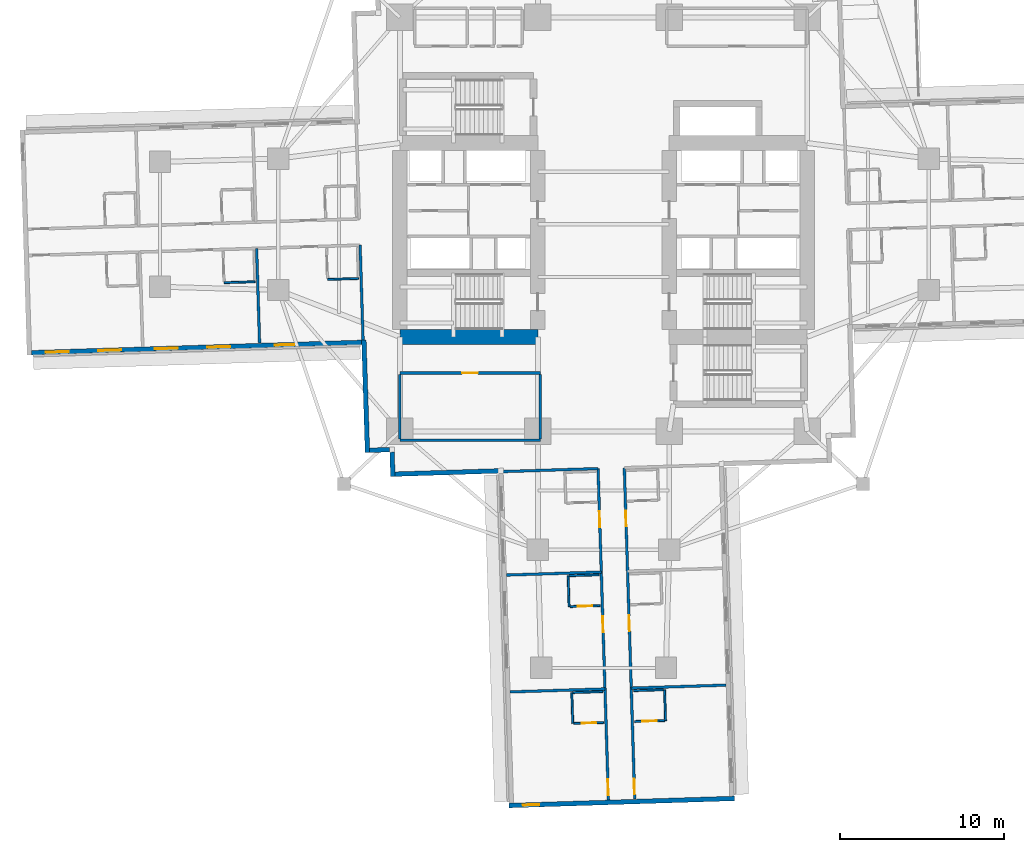
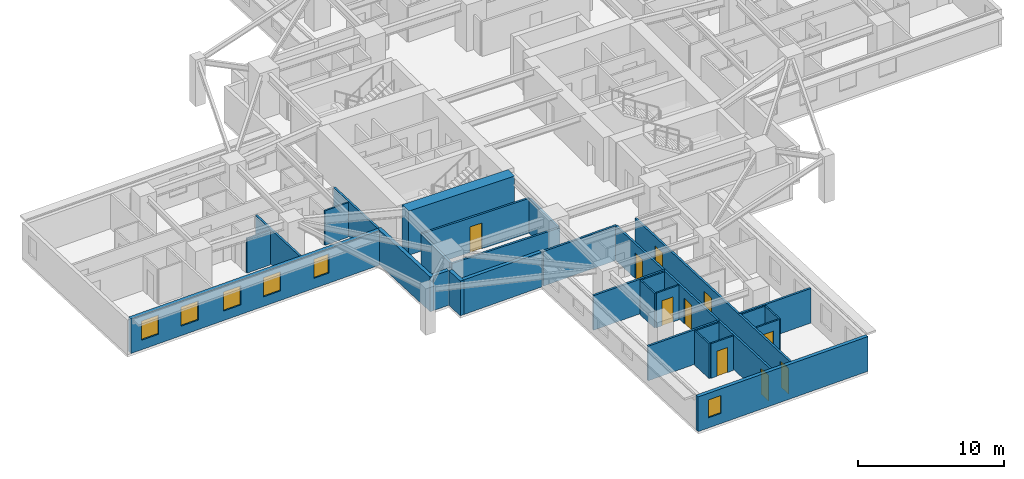
# One storey, part 3 of 15: 30 walls, 10 doors, 6 windows, 16 openings.
"""IFC4 building model written with IfcOpenShell, lengths in metres."""

from ifc_helpers import new_model, si_unit, direction, frame, frame_2d, origin, place, context, subcontext, project, spatial, rectangle, extrude, material, layer, layer_set, type_object, element, fill, save


model = new_model("IFC4")

# Units and contexts
model_context = context("Model", 3, precision=1e-05, world=origin(), true_north=direction((0.0, 1.0)))
body_context = subcontext(model_context, "Body", "Model", "MODEL_VIEW")
ifc_project = project(units=[si_unit("LENGTHUNIT", "METRE"), si_unit("AREAUNIT", "SQUARE_METRE"), si_unit("VOLUMEUNIT", "CUBIC_METRE"), si_unit("PLANEANGLEUNIT", "RADIAN"), si_unit("MASSUNIT", "GRAM", prefix="KILO")], contexts=[model_context])

# Site, building, storey
site_placement = place(None, origin())
site = spatial("IfcSite", under=ifc_project, at=site_placement, CompositionType="ELEMENT")
building_placement = place(site_placement, origin())
building = spatial("IfcBuilding", under=site, at=building_placement, Name="Qingluan Cross Belvedere", CompositionType="ELEMENT")
storey_placement = place(building_placement, frame((0.0, 0.0, 31.5)))
storey = spatial("IfcBuildingStorey", under=building, at=storey_placement, Name="L08", CompositionType="ELEMENT", Elevation=31.5)

# Walls
ifc_material_1 = material(Name="Concrete C70", Category="concrete")
ifc_layer_1 = layer(ifc_material_1, 0.89990234375, Name="CoreShearWall_900")
ifc_layer_set_1 = layer_set([ifc_layer_1], Name="Concrete C70")
wall_type_1 = type_object("IfcWallType", Name="CoreShearWall_900", PredefinedType="SHEAR", material=ifc_layer_set_1)
wall_1_placement = place(storey_placement, frame((-12.39990234375, -6.85009765625, 0.0), z_axis=(0.0, 0.0, 1.0), x_axis=(1.0, 0.0, 0.0)))
element("IfcWall", 1, at=wall_1_placement, inside=storey, type_object=wall_type_1, Name="Split core W shear wall L08-S", PredefinedType="SHEAR", context=body_context, shape_type="SweptSolid", body=[
    extrude(rectangle(XDim=8.39990234375, YDim=0.89990234375, at=frame_2d((4.199951171875, 0.0))), origin(), (0.0, 0.0, 1.0), 3.699951171875),
])
ifc_material_2 = material(Name="Gypsum plasterboard on steel stud acoustic partition", Category="steel")
ifc_layer_2 = layer(ifc_material_2, 0.159912109375, Name="CorridorPartition_160")
ifc_layer_set_2 = layer_set([ifc_layer_2], Name="Gypsum plasterboard on steel stud acoustic partition")
wall_type_2 = type_object("IfcWallType", Name="CorridorPartition_160", PredefinedType="PARTITIONING", material=ifc_layer_set_2)
wall_2_placement = place(storey_placement, frame((-12.39990234375, -13.14990234375, 0.0), z_axis=(0.0, 0.0, 1.0), x_axis=(1.0, 0.0, 0.0)))
element("IfcWall", 2, at=wall_2_placement, inside=storey, type_object=wall_type_2, Name="Partition L08:q_sw:S", PredefinedType="PARTITIONING", context=body_context, shape_type="SweptSolid", body=[
    extrude(rectangle(XDim=8.5498046875, YDim=0.159912109375, at=frame_2d((4.27490234375, 0.0))), origin(), (0.0, 0.0, 1.0), 2.89990234375),
])

# Wall, opening, door
wall_3_placement = place(storey_placement, frame((-12.39990234375, -9.050048828125, 0.0), z_axis=(0.0, 0.0, 1.0), x_axis=(1.0, 0.0, 0.0)))
wall_3 = element("IfcWall", 3, at=wall_3_placement, inside=storey, type_object=wall_type_2, Name="Partition L08:q_sw:N", PredefinedType="PARTITIONING", context=body_context, shape_type="SweptSolid", body=[
    extrude(rectangle(XDim=8.5498046875, YDim=0.159912109375, at=frame_2d((4.27490234375, 0.0))), origin(), (0.0, 0.0, 1.0), 2.89990234375),
])
opening_1_placement = place(wall_3_placement, frame((3.794921875, 0.0, 0.0)))
opening_1 = element("IfcOpeningElement", 4, at=opening_1_placement, cuts=wall_3, Name="Opening GD-10", PredefinedType="OPENING", context=body_context, shape_type="SweptSolid", body=[
    extrude(rectangle(XDim=0.9599609375, YDim=2.14990234375, at=frame_2d((0.47998046875, 1.074951171875))), frame((0.0, 0.08984375, 0.0), z_axis=(0.0, -1.0, 0.0), x_axis=(1.0, 0.0, 0.0)), (0.0, 0.0, 1.0), 0.179931640625),
])
ifc_material_3 = material(Name="Timber oak fire-rated acoustic guestroom door", Category="wood")
door_type_1 = type_object("IfcDoorType", Name="GuestEntryDoor_FD60", OperationType="NOTDEFINED", PredefinedType="DOOR", material=ifc_material_3)
door_1_placement = place(opening_1_placement, origin())
door_1 = element("IfcDoor", 5, at=door_1_placement, inside=storey, type_object=door_type_1, Name="Executive study room L08 door", OperationType="SINGLE_SWING_RIGHT", OverallHeight=2.14990234375, OverallWidth=0.9599609375, PredefinedType="DOOR", context=body_context, shape_type="SweptSolid", body=[
    extrude(rectangle(XDim=0.9599609375, YDim=2.14990234375, at=frame_2d((0.47998046875, 1.074951171875))), frame((0.0, 0.02490234375, 0.0), z_axis=(0.0, -1.0, 0.0), x_axis=(1.0, 0.0, 0.0)), (0.0, 0.0, 1.0), 0.050048828125),
])
fill(opening_1, door_1)

# Walls
for number, where, z_axis, x_axis, name in (
    (6, (-12.39990234375, -13.06494140625, 0.0), (0.0, 0.0, 1.0), (0.0, 1.0, 0.0), "Partition L08:q_sw:W"),
    (7, (-3.85009765625, -13.06494140625, 0.0), (0.0, 0.0, 1.0), (0.0, 1.0, 0.0), "Partition L08:q_sw:E"),
):
    element("IfcWall", number, at=place(storey_placement, frame(where, z_axis=z_axis, x_axis=x_axis)), inside=storey, type_object=wall_type_2, Name=name, PredefinedType="PARTITIONING", context=body_context, shape_type="SweptSolid", body=[
        extrude(rectangle(XDim=3.929931640625, YDim=0.159912109375, at=frame_2d((1.96484375, 0.0))), origin(), (0.0, 0.0, 1.0), 2.89990234375),
    ])
for number, where, z_axis, x_axis, name in (
    (8, (-14.8173828125, -1.26611328125, 0.0), (0.0, 0.0, 1.0), (0.031385292484, -0.999507360361, 0.0), "Partition L08:W:s1"),
    (9, (-21.116455078125, -1.464111328125, 0.0), (0.0, 0.0, 1.0), (0.031427548972, -0.999506032581, 0.0), "Partition L08:W:d1_0"),
):
    element("IfcWall", number, at=place(storey_placement, frame(where, z_axis=z_axis, x_axis=x_axis)), inside=storey, type_object=wall_type_2, Name=name, PredefinedType="PARTITIONING", context=body_context, shape_type="SweptSolid", body=[
        extrude(rectangle(XDim=5.77197265625, YDim=0.159912109375, at=frame_2d((2.885986328125, 0.0))), origin(), (0.0, 0.0, 1.0), 2.89990234375),
    ])

# Wall, openings, doors
wall_4_placement = place(storey_placement, frame((1.26611328125, -14.8173828125, 0.0), z_axis=(0.0, 0.0, 1.0), x_axis=(0.031403565719, -0.9995067864, 0.0)))
wall_4 = element("IfcWall", 10, at=wall_4_placement, inside=storey, type_object=wall_type_2, Name="Partition L08:S:c0", PredefinedType="PARTITIONING", context=body_context, shape_type="SweptSolid", body=[
    extrude(rectangle(XDim=20.18212890625, YDim=0.159912109375, at=frame_2d((10.091064453125, 0.0))), origin(), (0.0, 0.0, 1.0), 2.89990234375),
])
opening_2_placement = place(wall_4_placement, frame((2.610107421875, 0.0, 0.0)))
opening_2 = element("IfcOpeningElement", 11, at=opening_2_placement, cuts=wall_4, Name="Opening GD-10", PredefinedType="OPENING", context=body_context, shape_type="SweptSolid", body=[
    extrude(rectangle(XDim=0.9599609375, YDim=2.14990234375, at=frame_2d((0.47998046875, 1.074951171875))), frame((0.0, 0.08984375, 0.0), z_axis=(0.0, -1.0, 0.0), x_axis=(1.0, 0.0, 0.0)), (0.0, 0.0, 1.0), 0.179931640625),
])
opening_3_placement = place(wall_4_placement, frame((8.993896484375, 0.0, 0.0)))
opening_3 = element("IfcOpeningElement", 12, at=opening_3_placement, cuts=wall_4, Name="Opening GD-10", PredefinedType="OPENING", context=body_context, shape_type="SweptSolid", body=[
    extrude(rectangle(XDim=0.9599609375, YDim=2.14990234375, at=frame_2d((0.47998046875, 1.074951171875))), frame((0.0, 0.08984375, 0.0), z_axis=(0.0, -1.0, 0.0), x_axis=(1.0, 0.0, 0.0)), (0.0, 0.0, 1.0), 0.179931640625),
])
opening_4_placement = place(wall_4_placement, frame((18.929931640625, 0.0, 0.0)))
opening_4 = element("IfcOpeningElement", 13, at=opening_4_placement, cuts=wall_4, Name="Opening GD-10", PredefinedType="OPENING", context=body_context, shape_type="SweptSolid", body=[
    extrude(rectangle(XDim=0.9599609375, YDim=2.14990234375, at=frame_2d((0.47998046875, 1.074951171875))), frame((0.0, 0.08984375, 0.0), z_axis=(0.0, -1.0, 0.0), x_axis=(1.0, 0.0, 0.0)), (0.0, 0.0, 1.0), 0.179931640625),
])
door_2_placement = place(opening_2_placement, origin())
door_2 = element("IfcDoor", 14, at=door_2_placement, inside=storey, type_object=door_type_1, Name="Guest entry fire door 0819", OperationType="SINGLE_SWING_LEFT", OverallHeight=2.14990234375, OverallWidth=0.9599609375, PredefinedType="DOOR", context=body_context, shape_type="SweptSolid", body=[
    extrude(rectangle(XDim=0.9599609375, YDim=2.14990234375, at=frame_2d((0.47998046875, 1.074951171875))), frame((0.0, 0.02490234375, 0.0), z_axis=(0.0, -1.0, 0.0), x_axis=(1.0, 0.0, 0.0)), (0.0, 0.0, 1.0), 0.050048828125),
])
fill(opening_2, door_2)
door_3_placement = place(opening_3_placement, origin())
door_3 = element("IfcDoor", 15, at=door_3_placement, inside=storey, type_object=door_type_1, Name="Guest entry fire door 0820", OperationType="SINGLE_SWING_LEFT", OverallHeight=2.14990234375, OverallWidth=0.9599609375, PredefinedType="DOOR", context=body_context, shape_type="SweptSolid", body=[
    extrude(rectangle(XDim=0.9599609375, YDim=2.14990234375, at=frame_2d((0.47998046875, 1.074951171875))), frame((0.0, 0.02490234375, 0.0), z_axis=(0.0, -1.0, 0.0), x_axis=(1.0, 0.0, 0.0)), (0.0, 0.0, 1.0), 0.050048828125),
])
fill(opening_3, door_3)
door_4_placement = place(opening_4_placement, origin())
door_4 = element("IfcDoor", 16, at=door_4_placement, inside=storey, type_object=door_type_1, Name="Guest entry fire door 0821", OperationType="SINGLE_SWING_LEFT", OverallHeight=2.14990234375, OverallWidth=0.9599609375, PredefinedType="DOOR", context=body_context, shape_type="SweptSolid", body=[
    extrude(rectangle(XDim=0.9599609375, YDim=2.14990234375, at=frame_2d((0.47998046875, 1.074951171875))), frame((0.0, 0.02490234375, 0.0), z_axis=(0.0, -1.0, 0.0), x_axis=(1.0, 0.0, 0.0)), (0.0, 0.0, 1.0), 0.050048828125),
])
fill(opening_4, door_4)

# Wall
wall_5_placement = place(storey_placement, frame((1.6875, -28.22900390625, 0.0), z_axis=(0.0, 0.0, 1.0), x_axis=(0.999506074356, 0.031426220357, 0.0)))
element("IfcWall", 17, at=wall_5_placement, inside=storey, type_object=wall_type_2, Name="Partition L08:S:d0_1", PredefinedType="PARTITIONING", context=body_context, shape_type="SweptSolid", body=[
    extrude(rectangle(XDim=5.772216796875, YDim=0.159912109375, at=frame_2d((2.88623046875, 0.0))), origin(), (0.0, 0.0, 1.0), 2.89990234375),
])

# Wall, openings, doors
wall_6_placement = place(storey_placement, frame((-0.333251953125, -14.867919921875, 0.0), z_axis=(0.0, 0.0, 1.0), x_axis=(0.031416030536, -0.99950639469, 0.0)))
wall_6 = element("IfcWall", 18, at=wall_6_placement, inside=storey, type_object=wall_type_2, Name="Partition L08:S:c1", PredefinedType="PARTITIONING", context=body_context, shape_type="SweptSolid", body=[
    extrude(rectangle(XDim=20.181884765625, YDim=0.159912109375, at=frame_2d((10.0908203125, 0.0))), origin(), (0.0, 0.0, 1.0), 2.89990234375),
])
opening_5_placement = place(wall_6_placement, frame((2.610107421875, 0.0, 0.0)))
opening_5 = element("IfcOpeningElement", 19, at=opening_5_placement, cuts=wall_6, Name="Opening GD-10", PredefinedType="OPENING", context=body_context, shape_type="SweptSolid", body=[
    extrude(rectangle(XDim=0.9599609375, YDim=2.14990234375, at=frame_2d((0.47998046875, 1.074951171875))), frame((0.0, 0.08984375, 0.0), z_axis=(0.0, -1.0, 0.0), x_axis=(1.0, 0.0, 0.0)), (0.0, 0.0, 1.0), 0.179931640625),
])
opening_6_placement = place(wall_6_placement, frame((8.993896484375, 0.0, 0.0)))
opening_6 = element("IfcOpeningElement", 20, at=opening_6_placement, cuts=wall_6, Name="Opening GD-10", PredefinedType="OPENING", context=body_context, shape_type="SweptSolid", body=[
    extrude(rectangle(XDim=0.9599609375, YDim=2.14990234375, at=frame_2d((0.47998046875, 1.074951171875))), frame((0.0, 0.08984375, 0.0), z_axis=(0.0, -1.0, 0.0), x_axis=(1.0, 0.0, 0.0)), (0.0, 0.0, 1.0), 0.179931640625),
])
opening_7_placement = place(wall_6_placement, frame((18.929931640625, 0.0, 0.0)))
opening_7 = element("IfcOpeningElement", 21, at=opening_7_placement, cuts=wall_6, Name="Opening GD-10", PredefinedType="OPENING", context=body_context, shape_type="SweptSolid", body=[
    extrude(rectangle(XDim=0.9599609375, YDim=2.14990234375, at=frame_2d((0.47998046875, 1.074951171875))), frame((0.0, 0.08984375, 0.0), z_axis=(0.0, -1.0, 0.0), x_axis=(1.0, 0.0, 0.0)), (0.0, 0.0, 1.0), 0.179931640625),
])
door_5_placement = place(opening_5_placement, origin())
door_5 = element("IfcDoor", 22, at=door_5_placement, inside=storey, type_object=door_type_1, Name="Guest entry fire door 0822", OperationType="SINGLE_SWING_LEFT", OverallHeight=2.14990234375, OverallWidth=0.9599609375, PredefinedType="DOOR", context=body_context, shape_type="SweptSolid", body=[
    extrude(rectangle(XDim=0.9599609375, YDim=2.14990234375, at=frame_2d((0.47998046875, 1.074951171875))), frame((0.0, 0.02490234375, 0.0), z_axis=(0.0, -1.0, 0.0), x_axis=(1.0, 0.0, 0.0)), (0.0, 0.0, 1.0), 0.050048828125),
])
fill(opening_5, door_5)
door_6_placement = place(opening_6_placement, origin())
door_6 = element("IfcDoor", 23, at=door_6_placement, inside=storey, type_object=door_type_1, Name="Guest entry fire door 0823", OperationType="SINGLE_SWING_LEFT", OverallHeight=2.14990234375, OverallWidth=0.9599609375, PredefinedType="DOOR", context=body_context, shape_type="SweptSolid", body=[
    extrude(rectangle(XDim=0.9599609375, YDim=2.14990234375, at=frame_2d((0.47998046875, 1.074951171875))), frame((0.0, 0.02490234375, 0.0), z_axis=(0.0, -1.0, 0.0), x_axis=(1.0, 0.0, 0.0)), (0.0, 0.0, 1.0), 0.050048828125),
])
fill(opening_6, door_6)
door_7_placement = place(opening_7_placement, origin())
door_7 = element("IfcDoor", 24, at=door_7_placement, inside=storey, type_object=door_type_1, Name="Guest entry fire door 0824", OperationType="SINGLE_SWING_LEFT", OverallHeight=2.14990234375, OverallWidth=0.9599609375, PredefinedType="DOOR", context=body_context, shape_type="SweptSolid", body=[
    extrude(rectangle(XDim=0.9599609375, YDim=2.14990234375, at=frame_2d((0.47998046875, 1.074951171875))), frame((0.0, 0.02490234375, 0.0), z_axis=(0.0, -1.0, 0.0), x_axis=(1.0, 0.0, 0.0)), (0.0, 0.0, 1.0), 0.050048828125),
])
fill(opening_7, door_7)

# Walls
wall_7_placement = place(storey_placement, frame((-0.333251953125, -14.867919921875, 0.0), z_axis=(0.0, 0.0, 1.0), x_axis=(-0.999507397699, -0.031384103385, 0.0)))
element("IfcWall", 25, at=wall_7_placement, inside=storey, type_object=wall_type_2, Name="Partition L08:S:s1", PredefinedType="PARTITIONING", context=body_context, shape_type="SweptSolid", body=[
    extrude(rectangle(XDim=5.919921875, YDim=0.159912109375, at=frame_2d((2.9599609375, 0.0))), origin(), (0.0, 0.0, 1.0), 2.89990234375),
])
wall_8_placement = place(storey_placement, frame((-0.13525390625, -21.166748046875, 0.0), z_axis=(0.0, 0.0, 1.0), x_axis=(-0.999507360361, -0.031385292484, 0.0)))
element("IfcWall", 26, at=wall_8_placement, inside=storey, type_object=wall_type_2, Name="Partition L08:S:d1_0", PredefinedType="PARTITIONING", context=body_context, shape_type="SweptSolid", body=[
    extrude(rectangle(XDim=5.77197265625, YDim=0.159912109375, at=frame_2d((2.885986328125, 0.0))), origin(), (0.0, 0.0, 1.0), 2.89990234375),
])
wall_9_placement = place(storey_placement, frame((0.08837890625, -28.279296875, 0.0), z_axis=(0.0, 0.0, 1.0), x_axis=(-0.999507402024, -0.031383965651, 0.0)))
element("IfcWall", 27, at=wall_9_placement, inside=storey, type_object=wall_type_2, Name="Partition L08:S:d1_1", PredefinedType="PARTITIONING", context=body_context, shape_type="SweptSolid", body=[
    extrude(rectangle(XDim=5.772216796875, YDim=0.159912109375, at=frame_2d((2.88623046875, 0.0))), origin(), (0.0, 0.0, 1.0), 2.89990234375),
])
ifc_material_4 = material(Name="Moisture-resistant gypsum board lining")
ifc_layer_3 = layer(ifc_material_4, 0.1201171875, Name="EnsuiteWetPartition_120")
ifc_layer_set_3 = layer_set([ifc_layer_3], Name="Moisture-resistant gypsum board lining")
wall_type_3 = type_object("IfcWallType", Name="EnsuiteWetPartition_120", PredefinedType="PARTITIONING", material=ifc_layer_set_3)
for number, where, z_axis, x_axis, name in (
    (28, (-14.913818359375, -3.295166015625, 0.0), (0.0, 0.0, 1.0), (-0.999510173889, -0.031295563454, 0.0), "Partition L08:W:bc1_0"),
    (29, (-21.212646484375, -3.492919921875, 0.0), (0.0, 0.0, 1.0), (-0.999506103526, -0.031425292588, 0.0), "Partition L08:W:bc1_1"),
):
    element("IfcWall", number, at=place(storey_placement, frame(where, z_axis=z_axis, x_axis=x_axis)), inside=storey, type_object=wall_type_3, Name=name, PredefinedType="PARTITIONING", context=body_context, shape_type="SweptSolid", body=[
        extrude(rectangle(XDim=1.880126953125, YDim=0.1201171875, at=frame_2d((0.93994140625, 0.0))), origin(), (0.0, 0.0, 1.0), 2.89990234375),
    ])

# Wall, opening, door
wall_10_placement = place(storey_placement, frame((1.8916015625, -30.263427734375, 0.0), z_axis=(0.0, 0.0, 1.0), x_axis=(0.999507221803, 0.031389704724, 0.0)))
wall_10 = element("IfcWall", 30, at=wall_10_placement, inside=storey, type_object=wall_type_3, Name="Partition L08:S:bs0_2", PredefinedType="PARTITIONING", context=body_context, shape_type="SweptSolid", body=[
    extrude(rectangle(XDim=1.820068359375, YDim=0.1201171875, at=frame_2d((0.91015625, 0.0))), origin(), (0.0, 0.0, 1.0), 2.89990234375),
])
opening_8_placement = place(wall_10_placement, frame((0.469970703125, 0.0, 0.0)))
opening_8 = element("IfcOpeningElement", 31, at=opening_8_placement, cuts=wall_10, Name="Opening BD-09", PredefinedType="OPENING", context=body_context, shape_type="SweptSolid", body=[
    extrude(rectangle(XDim=0.8798828125, YDim=2.10009765625, at=frame_2d((0.43994140625, 1.050048828125))), frame((0.0, 0.070068359375, 0.0), z_axis=(0.0, -1.0, 0.0), x_axis=(1.0, 0.0, 0.0)), (0.0, 0.0, 1.0), 0.14013671875),
])
ifc_material_5 = material(Name="Moisture-sealed timber en-suite door", Category="wood")
door_type_2 = type_object("IfcDoorType", Name="BathroomDoor_880", OperationType="NOTDEFINED", PredefinedType="DOOR", material=ifc_material_5)
door_8_placement = place(opening_8_placement, origin())
door_8 = element("IfcDoor", 32, at=door_8_placement, inside=storey, type_object=door_type_2, Name="Bathroom door 0821", OperationType="SINGLE_SWING_RIGHT", OverallHeight=2.10009765625, OverallWidth=0.8798828125, PredefinedType="DOOR", context=body_context, shape_type="SweptSolid", body=[
    extrude(rectangle(XDim=0.8798828125, YDim=2.10009765625, at=frame_2d((0.43994140625, 1.050048828125))), frame((0.0, 0.02490234375, 0.0), z_axis=(0.0, -1.0, 0.0), x_axis=(1.0, 0.0, 0.0)), (0.0, 0.0, 1.0), 0.050048828125),
])
fill(opening_8, door_8)

# Walls
wall_11_placement = place(storey_placement, frame((1.83251953125, -28.384521484375, 0.0), z_axis=(0.0, 0.0, 1.0), x_axis=(0.999507221803, 0.031389704724, 0.0)))
element("IfcWall", 33, at=wall_11_placement, inside=storey, type_object=wall_type_3, Name="Partition L08:S:bw0_2", PredefinedType="PARTITIONING", context=body_context, shape_type="SweptSolid", body=[
    extrude(rectangle(XDim=1.820068359375, YDim=0.1201171875, at=frame_2d((0.91015625, 0.0))), origin(), (0.0, 0.0, 1.0), 2.89990234375),
])
wall_12_placement = place(storey_placement, frame((3.716552734375, -28.3251953125, 0.0), z_axis=(0.0, 0.0, 1.0), x_axis=(0.031425292588, -0.999506103526, 0.0)))
element("IfcWall", 34, at=wall_12_placement, inside=storey, type_object=wall_type_3, Name="Partition L08:S:bn0_2", PredefinedType="PARTITIONING", context=body_context, shape_type="SweptSolid", body=[
    extrude(rectangle(XDim=1.880126953125, YDim=0.1201171875, at=frame_2d((0.93994140625, 0.0))), origin(), (0.0, 0.0, 1.0), 2.89990234375),
])

# Wall, opening, door
wall_13_placement = place(storey_placement, frame((-2.0302734375, -23.26708984375, 0.0), z_axis=(0.0, 0.0, 1.0), x_axis=(0.999511421504, 0.031255692016, 0.0)))
wall_13 = element("IfcWall", 35, at=wall_13_placement, inside=storey, type_object=wall_type_3, Name="Partition L08:S:bs1_1", PredefinedType="PARTITIONING", context=body_context, shape_type="SweptSolid", body=[
    extrude(rectangle(XDim=1.820068359375, YDim=0.1201171875, at=frame_2d((0.91015625, 0.0))), origin(), (0.0, 0.0, 1.0), 2.89990234375),
])
opening_9_placement = place(wall_13_placement, frame((0.469970703125, 0.0, 0.0)))
opening_9 = element("IfcOpeningElement", 36, at=opening_9_placement, cuts=wall_13, Name="Opening BD-09", PredefinedType="OPENING", context=body_context, shape_type="SweptSolid", body=[
    extrude(rectangle(XDim=0.8798828125, YDim=2.10009765625, at=frame_2d((0.43994140625, 1.050048828125))), frame((0.0, 0.070068359375, 0.0), z_axis=(0.0, -1.0, 0.0), x_axis=(1.0, 0.0, 0.0)), (0.0, 0.0, 1.0), 0.14013671875),
])
door_9_placement = place(opening_9_placement, origin())
door_9 = element("IfcDoor", 37, at=door_9_placement, inside=storey, type_object=door_type_2, Name="Bathroom door 0823", OperationType="SINGLE_SWING_RIGHT", OverallHeight=2.10009765625, OverallWidth=0.8798828125, PredefinedType="DOOR", context=body_context, shape_type="SweptSolid", body=[
    extrude(rectangle(XDim=0.8798828125, YDim=2.10009765625, at=frame_2d((0.43994140625, 1.050048828125))), frame((0.0, 0.02490234375, 0.0), z_axis=(0.0, -1.0, 0.0), x_axis=(1.0, 0.0, 0.0)), (0.0, 0.0, 1.0), 0.050048828125),
])
fill(opening_9, door_9)

# Walls
wall_14_placement = place(storey_placement, frame((-2.089111328125, -21.38818359375, 0.0), z_axis=(0.0, 0.0, 1.0), x_axis=(0.999507221803, 0.031389704724, 0.0)))
element("IfcWall", 38, at=wall_14_placement, inside=storey, type_object=wall_type_3, Name="Partition L08:S:bw1_1", PredefinedType="PARTITIONING", context=body_context, shape_type="SweptSolid", body=[
    extrude(rectangle(XDim=1.820068359375, YDim=0.1201171875, at=frame_2d((0.91015625, 0.0))), origin(), (0.0, 0.0, 1.0), 2.89990234375),
])
wall_15_placement = place(storey_placement, frame((-2.154296875, -21.39013671875, 0.0), z_axis=(0.0, 0.0, 1.0), x_axis=(0.031425292588, -0.999506103526, 0.0)))
element("IfcWall", 39, at=wall_15_placement, inside=storey, type_object=wall_type_3, Name="Partition L08:S:bc1_1", PredefinedType="PARTITIONING", context=body_context, shape_type="SweptSolid", body=[
    extrude(rectangle(XDim=1.880126953125, YDim=0.1201171875, at=frame_2d((0.93994140625, 0.0))), origin(), (0.0, 0.0, 1.0), 2.89990234375),
])

# Wall, opening, door
wall_16_placement = place(storey_placement, frame((-1.806640625, -30.379638671875, 0.0), z_axis=(0.0, 0.0, 1.0), x_axis=(0.999507221803, 0.031389704724, 0.0)))
wall_16 = element("IfcWall", 40, at=wall_16_placement, inside=storey, type_object=wall_type_3, Name="Partition L08:S:bs1_2", PredefinedType="PARTITIONING", context=body_context, shape_type="SweptSolid", body=[
    extrude(rectangle(XDim=1.820068359375, YDim=0.1201171875, at=frame_2d((0.91015625, 0.0))), origin(), (0.0, 0.0, 1.0), 2.89990234375),
])
opening_10_placement = place(wall_16_placement, frame((0.469970703125, 0.0, 0.0)))
opening_10 = element("IfcOpeningElement", 41, at=opening_10_placement, cuts=wall_16, Name="Opening BD-09", PredefinedType="OPENING", context=body_context, shape_type="SweptSolid", body=[
    extrude(rectangle(XDim=0.8798828125, YDim=2.10009765625, at=frame_2d((0.43994140625, 1.050048828125))), frame((0.0, 0.070068359375, 0.0), z_axis=(0.0, -1.0, 0.0), x_axis=(1.0, 0.0, 0.0)), (0.0, 0.0, 1.0), 0.14013671875),
])
door_10_placement = place(opening_10_placement, origin())
door_10 = element("IfcDoor", 42, at=door_10_placement, inside=storey, type_object=door_type_2, Name="Bathroom door 0824", OperationType="SINGLE_SWING_RIGHT", OverallHeight=2.10009765625, OverallWidth=0.8798828125, PredefinedType="DOOR", context=body_context, shape_type="SweptSolid", body=[
    extrude(rectangle(XDim=0.8798828125, YDim=2.10009765625, at=frame_2d((0.43994140625, 1.050048828125))), frame((0.0, 0.02490234375, 0.0), z_axis=(0.0, -1.0, 0.0), x_axis=(1.0, 0.0, 0.0)), (0.0, 0.0, 1.0), 0.050048828125),
])
fill(opening_10, door_10)

# Walls
wall_17_placement = place(storey_placement, frame((-1.86572265625, -28.500732421875, 0.0), z_axis=(0.0, 0.0, 1.0), x_axis=(0.999507221803, 0.031389704724, 0.0)))
element("IfcWall", 43, at=wall_17_placement, inside=storey, type_object=wall_type_3, Name="Partition L08:S:bw1_2", PredefinedType="PARTITIONING", context=body_context, shape_type="SweptSolid", body=[
    extrude(rectangle(XDim=1.820068359375, YDim=0.1201171875, at=frame_2d((0.91015625, 0.0))), origin(), (0.0, 0.0, 1.0), 2.89990234375),
])
wall_18_placement = place(storey_placement, frame((-1.9306640625, -28.502685546875, 0.0), z_axis=(0.0, 0.0, 1.0), x_axis=(0.031425292588, -0.999506103526, 0.0)))
element("IfcWall", 44, at=wall_18_placement, inside=storey, type_object=wall_type_3, Name="Partition L08:S:bc1_2", PredefinedType="PARTITIONING", context=body_context, shape_type="SweptSolid", body=[
    extrude(rectangle(XDim=1.880126953125, YDim=0.1201171875, at=frame_2d((0.93994140625, 0.0))), origin(), (0.0, 0.0, 1.0), 2.89990234375),
])

# Wall, openings, windows
ifc_material_6 = material(Name="Precast concrete C45", Category="concrete")
ifc_layer_4 = layer(ifc_material_6, 0.280029296875, Name="PrecastFacadeWall_280")
ifc_layer_set_4 = layer_set([ifc_layer_4], Name="Precast concrete C45")
wall_type_4 = type_object("IfcWallType", Name="PrecastFacadeWall_280", PredefinedType="STANDARD", material=ifc_layer_set_4)
wall_19_placement = place(storey_placement, frame((-34.8115234375, -7.8173828125, 0.0), z_axis=(0.0, 0.0, 1.0), x_axis=(0.999506574096, 0.031410322165, 0.0)))
wall_19 = element("IfcWall", 45, at=wall_19_placement, inside=storey, type_object=wall_type_4, Name="Facade wall L08-WB", PredefinedType="STANDARD", context=body_context, shape_type="SweptSolid", body=[
    extrude(rectangle(XDim=20.10009765625, YDim=0.280029296875, at=frame_2d((10.050048828125, 0.0))), origin(), (0.0, 0.0, 1.0), 2.909912109375),
])
opening_11_placement = place(wall_19_placement, frame((0.85009765625, 0.0, 0.800048828125)))
opening_11 = element("IfcOpeningElement", 46, at=opening_11_placement, cuts=wall_19, Name="Opening W-01", PredefinedType="OPENING", context=body_context, shape_type="SweptSolid", body=[
    extrude(rectangle(XDim=1.39990234375, YDim=1.60009765625, at=frame_2d((0.699951171875, 0.800048828125))), frame((0.0, 0.14990234375, 0.0), z_axis=(0.0, -1.0, 0.0), x_axis=(1.0, 0.0, 0.0)), (0.0, 0.0, 1.0), 0.300048828125),
])
opening_12_placement = place(wall_19_placement, frame((4.050048828125, 0.0, 0.800048828125)))
opening_12 = element("IfcOpeningElement", 47, at=opening_12_placement, cuts=wall_19, Name="Opening W-01", PredefinedType="OPENING", context=body_context, shape_type="SweptSolid", body=[
    extrude(rectangle(XDim=1.39990234375, YDim=1.60009765625, at=frame_2d((0.699951171875, 0.800048828125))), frame((0.0, 0.14990234375, 0.0), z_axis=(0.0, -1.0, 0.0), x_axis=(1.0, 0.0, 0.0)), (0.0, 0.0, 1.0), 0.300048828125),
])
opening_13_placement = place(wall_19_placement, frame((7.5, 0.0, 0.800048828125)))
opening_13 = element("IfcOpeningElement", 48, at=opening_13_placement, cuts=wall_19, Name="Opening W-01", PredefinedType="OPENING", context=body_context, shape_type="SweptSolid", body=[
    extrude(rectangle(XDim=1.39990234375, YDim=1.60009765625, at=frame_2d((0.699951171875, 0.800048828125))), frame((0.0, 0.14990234375, 0.0), z_axis=(0.0, -1.0, 0.0), x_axis=(1.0, 0.0, 0.0)), (0.0, 0.0, 1.0), 0.300048828125),
])
opening_14_placement = place(wall_19_placement, frame((10.699951171875, 0.0, 0.800048828125)))
opening_14 = element("IfcOpeningElement", 49, at=opening_14_placement, cuts=wall_19, Name="Opening W-01", PredefinedType="OPENING", context=body_context, shape_type="SweptSolid", body=[
    extrude(rectangle(XDim=1.39990234375, YDim=1.60009765625, at=frame_2d((0.699951171875, 0.800048828125))), frame((0.0, 0.14990234375, 0.0), z_axis=(0.0, -1.0, 0.0), x_axis=(1.0, 0.0, 0.0)), (0.0, 0.0, 1.0), 0.300048828125),
])
opening_15_placement = place(wall_19_placement, frame((14.799072265625, 0.0, 0.85009765625)))
opening_15 = element("IfcOpeningElement", 50, at=opening_15_placement, cuts=wall_19, Name="Opening W-02", PredefinedType="OPENING", context=body_context, shape_type="SweptSolid", body=[
    extrude(rectangle(XDim=1.199951171875, YDim=1.60009765625, at=frame_2d((0.60009765625, 0.800048828125))), frame((0.0, 0.14990234375, 0.0), z_axis=(0.0, -1.0, 0.0), x_axis=(1.0, 0.0, 0.0)), (0.0, 0.0, 1.0), 0.300048828125),
])
ifc_material_7 = material(Name="Thermally broken triple Low-E glass in aluminium frame", Category="aluminium")
window_type_1 = type_object("IfcWindowType", Name="TriRibbonWin_1200x1600", PartitioningType="SINGLE_PANEL", PredefinedType="WINDOW", material=ifc_material_7)
window_1_placement = place(opening_15_placement, origin())
window_1 = element("IfcWindow", 51, at=window_1_placement, inside=storey, type_object=window_type_1, Name="Deluxe guest room 0810 daylight window", OverallHeight=1.60009765625, OverallWidth=1.199951171875, PartitioningType="SINGLE_PANEL", PredefinedType="WINDOW", context=body_context, shape_type="SweptSolid", body=[
    extrude(rectangle(XDim=1.199951171875, YDim=1.60009765625, at=frame_2d((0.60009765625, 0.800048828125))), frame((0.0, 0.030029296875, 0.0), z_axis=(0.0, -1.0, 0.0), x_axis=(1.0, 0.0, 0.0)), (0.0, 0.0, 1.0), 0.06005859375),
])
fill(opening_15, window_1)
ifc_material_8 = material(Name="Thermally broken triple Low-E glass in aluminium frame", Category="aluminium")
window_type_2 = type_object("IfcWindowType", Name="TriRibbonWin_1400x1600", PartitioningType="SINGLE_PANEL", PredefinedType="WINDOW", material=ifc_material_8)
window_2_placement = place(opening_11_placement, origin())
window_2 = element("IfcWindow", 52, at=window_2_placement, inside=storey, type_object=window_type_2, Name="Ribbon window L08-WB-1", OverallHeight=1.60009765625, OverallWidth=1.39990234375, PartitioningType="SINGLE_PANEL", PredefinedType="WINDOW", context=body_context, shape_type="SweptSolid", body=[
    extrude(rectangle(XDim=1.39990234375, YDim=1.60009765625, at=frame_2d((0.699951171875, 0.800048828125))), frame((0.0, 0.030029296875, 0.0), z_axis=(0.0, -1.0, 0.0), x_axis=(1.0, 0.0, 0.0)), (0.0, 0.0, 1.0), 0.06005859375),
])
fill(opening_11, window_2)
window_3_placement = place(opening_12_placement, origin())
window_3 = element("IfcWindow", 53, at=window_3_placement, inside=storey, type_object=window_type_2, Name="Ribbon window L08-WB-2", OverallHeight=1.60009765625, OverallWidth=1.39990234375, PartitioningType="SINGLE_PANEL", PredefinedType="WINDOW", context=body_context, shape_type="SweptSolid", body=[
    extrude(rectangle(XDim=1.39990234375, YDim=1.60009765625, at=frame_2d((0.699951171875, 0.800048828125))), frame((0.0, 0.030029296875, 0.0), z_axis=(0.0, -1.0, 0.0), x_axis=(1.0, 0.0, 0.0)), (0.0, 0.0, 1.0), 0.06005859375),
])
fill(opening_12, window_3)
window_4_placement = place(opening_13_placement, origin())
window_4 = element("IfcWindow", 54, at=window_4_placement, inside=storey, type_object=window_type_2, Name="Ribbon window L08-WB-3", OverallHeight=1.60009765625, OverallWidth=1.39990234375, PartitioningType="SINGLE_PANEL", PredefinedType="WINDOW", context=body_context, shape_type="SweptSolid", body=[
    extrude(rectangle(XDim=1.39990234375, YDim=1.60009765625, at=frame_2d((0.699951171875, 0.800048828125))), frame((0.0, 0.030029296875, 0.0), z_axis=(0.0, -1.0, 0.0), x_axis=(1.0, 0.0, 0.0)), (0.0, 0.0, 1.0), 0.06005859375),
])
fill(opening_13, window_4)
window_5_placement = place(opening_14_placement, origin())
window_5 = element("IfcWindow", 55, at=window_5_placement, inside=storey, type_object=window_type_2, Name="Ribbon window L08-WB-4", OverallHeight=1.60009765625, OverallWidth=1.39990234375, PartitioningType="SINGLE_PANEL", PredefinedType="WINDOW", context=body_context, shape_type="SweptSolid", body=[
    extrude(rectangle(XDim=1.39990234375, YDim=1.60009765625, at=frame_2d((0.699951171875, 0.800048828125))), frame((0.0, 0.030029296875, 0.0), z_axis=(0.0, -1.0, 0.0), x_axis=(1.0, 0.0, 0.0)), (0.0, 0.0, 1.0), 0.06005859375),
])
fill(opening_14, window_5)

# Wall, opening, window
wall_20_placement = place(storey_placement, frame((-5.751708984375, -35.378173828125, 0.0), z_axis=(0.0, 0.0, 1.0), x_axis=(0.999506679556, 0.031406966164, 0.0)))
wall_20 = element("IfcWall", 56, at=wall_20_placement, inside=storey, type_object=wall_type_4, Name="Arm tip precast facade wall L08-S", PredefinedType="STANDARD", context=body_context, shape_type="SweptSolid", body=[
    extrude(rectangle(XDim=13.72021484375, YDim=0.280029296875, at=frame_2d((6.860107421875, 0.0))), origin(), (0.0, 0.0, 1.0), 2.909912109375),
])
opening_16_placement = place(wall_20_placement, frame((0.85009765625, 0.0, 0.85009765625)))
opening_16 = element("IfcOpeningElement", 57, at=opening_16_placement, cuts=wall_20, Name="Opening W-03", PredefinedType="OPENING", context=body_context, shape_type="SweptSolid", body=[
    extrude(rectangle(XDim=1.0, YDim=1.5, at=frame_2d((0.5, 0.75))), frame((0.0, 0.14990234375, 0.0), z_axis=(0.0, -1.0, 0.0), x_axis=(1.0, 0.0, 0.0)), (0.0, 0.0, 1.0), 0.300048828125),
])
ifc_material_9 = material(Name="Thermally broken triple Low-E glass in aluminium frame", Category="aluminium")
window_type_3 = type_object("IfcWindowType", Name="TriApexWin_1000x1500", PartitioningType="SINGLE_PANEL", PredefinedType="WINDOW", material=ifc_material_9)
window_6_placement = place(opening_16_placement, origin())
window_6 = element("IfcWindow", 58, at=window_6_placement, inside=storey, type_object=window_type_3, Name="Arm tip triangular window L08-S", OverallHeight=1.5, OverallWidth=1.0, PartitioningType="SINGLE_PANEL", PredefinedType="WINDOW", context=body_context, shape_type="SweptSolid", body=[
    extrude(rectangle(XDim=1.0, YDim=1.5, at=frame_2d((0.5, 0.75))), frame((0.0, 0.030029296875, 0.0), z_axis=(0.0, -1.0, 0.0), x_axis=(1.0, 0.0, 0.0)), (0.0, 0.0, 1.0), 0.06005859375),
])
fill(opening_16, window_6)

# Walls
wall_21_placement = place(storey_placement, frame((-14.5859375, -7.04150390625, 0.0), z_axis=(0.0, 0.0, 1.0), x_axis=(0.031389189386, -0.999507237988, 0.0)))
element("IfcWall", 59, at=wall_21_placement, inside=storey, type_object=wall_type_4, Name="Corner wall L08-SW1", PredefinedType="STANDARD", context=body_context, shape_type="SweptSolid", body=[
    extrude(rectangle(XDim=6.860107421875, YDim=0.280029296875, at=frame_2d((3.43017578125, 0.0))), origin(), (0.0, 0.0, 1.0), 2.909912109375),
])
wall_22_placement = place(storey_placement, frame((-14.235107421875, -13.75390625, 0.0), z_axis=(0.0, 0.0, 1.0), x_axis=(0.999506398264, 0.031415916822, 0.0)))
element("IfcWall", 60, at=wall_22_placement, inside=storey, type_object=wall_type_4, Name="Corner wall L08-SW2", PredefinedType="STANDARD", context=body_context, shape_type="SweptSolid", body=[
    extrude(rectangle(XDim=1.219970703125, YDim=0.280029296875, at=frame_2d((0.60986328125, 0.0))), origin(), (0.0, 0.0, 1.0), 2.909912109375),
])
wall_23_placement = place(storey_placement, frame((-12.871337890625, -13.85107421875, 0.0), z_axis=(0.0, 0.0, 1.0), x_axis=(0.031412596484, -0.999506502621, 0.0)))
element("IfcWall", 61, at=wall_23_placement, inside=storey, type_object=wall_type_4, Name="Corner wall L08-SW3", PredefinedType="STANDARD", context=body_context, shape_type="SweptSolid", body=[
    extrude(rectangle(XDim=1.5, YDim=0.280029296875, at=frame_2d((0.75, 0.0))), origin(), (0.0, 0.0, 1.0), 2.909912109375),
])
wall_24_placement = place(storey_placement, frame((-12.688720703125, -15.2060546875, 0.0), z_axis=(0.0, 0.0, 1.0), x_axis=(0.999507262922, 0.031388395416, 0.0)))
element("IfcWall", 62, at=wall_24_placement, inside=storey, type_object=wall_type_4, Name="Corner wall L08-SW4", PredefinedType="STANDARD", context=body_context, shape_type="SweptSolid", body=[
    extrude(rectangle(XDim=6.30029296875, YDim=0.280029296875, at=frame_2d((3.150146484375, 0.0))), origin(), (0.0, 0.0, 1.0), 2.909912109375),
])

save(model, "model.ifc")
